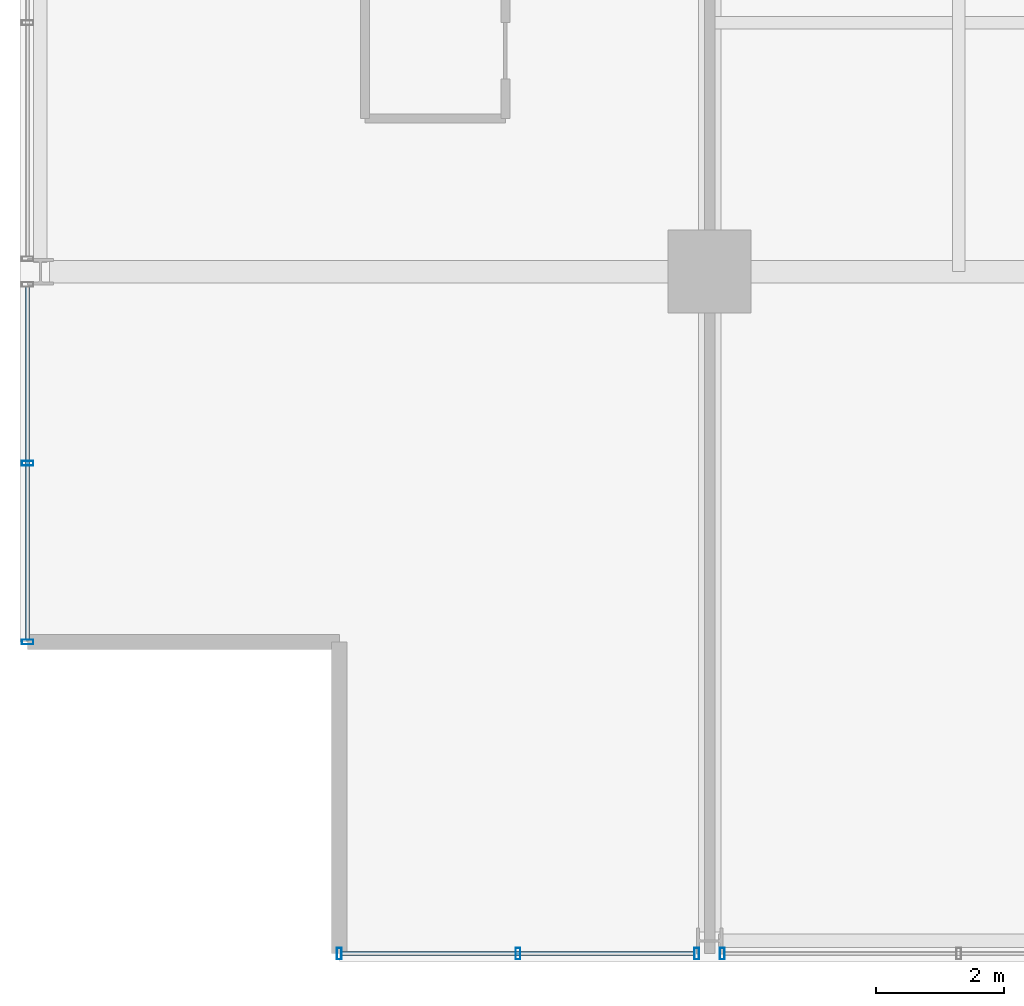
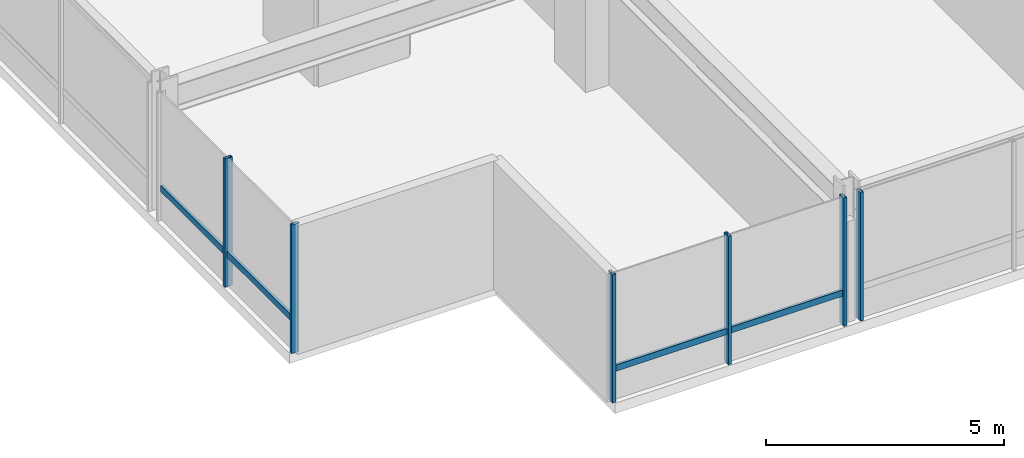
# One storey, part 2 of 33: 8 members, 3 elements without a shape of their own.
"""IFC4 building model written with IfcOpenShell, lengths in metres."""

from ifc_helpers import new_model, si_unit, direction, frame, origin, origin_2d, place, context, subcontext, project, spatial, hollow_rectangle, extrude, material, layer, layer_set, material_profile, profile_set, type_object, element, aggregate, save


model = new_model("IFC4")

# Units and contexts
model_context = context("Model", 3, precision=1e-05, world=origin(), true_north=direction((0.0, 1.0)))
body_context = subcontext(model_context, "Body", "Model", "MODEL_VIEW")
ifc_project = project(units=[si_unit("LENGTHUNIT", "METRE"), si_unit("AREAUNIT", "SQUARE_METRE"), si_unit("VOLUMEUNIT", "CUBIC_METRE"), si_unit("PLANEANGLEUNIT", "RADIAN"), si_unit("MASSUNIT", "GRAM", prefix="KILO")], contexts=[model_context])

# Site, building, storey
site_placement = place(None, origin())
site = spatial("IfcSite", under=ifc_project, at=site_placement, CompositionType="ELEMENT")
building_placement = place(site_placement, origin())
building = spatial("IfcBuilding", under=site, at=building_placement, Name="Drelvath Grand Hotel", CompositionType="ELEMENT")
storey_placement = place(building_placement, frame((0.0, 0.0, 171.699951171875)))
storey = spatial("IfcBuildingStorey", under=building, at=storey_placement, Name="L44", CompositionType="ELEMENT", Elevation=171.699951171875)

# Curtain wall, member
ifc_material = material(Name="Brushed Pale-Silver Anodised Aluminium Frame", Category="aluminium")
ifc_layer = layer(ifc_material, 0.199951171875)
ifc_layer_set = layer_set([ifc_layer], Name="Brushed Pale-Silver Anodised Aluminium Frame")
curtain_wall_type = type_object("IfcCurtainWallType", Name="Stick Curtain Wall CW-04 Brushed Silver Upper-Mid", PredefinedType="NOTDEFINED", material=ifc_layer_set)
curtain_wall_1_placement = place(storey_placement, origin())
curtain_wall_1 = element("IfcCurtainWall", 1, at=curtain_wall_1_placement, inside=storey, type_object=curtain_wall_type, Name="L44 CW-04 Curtain Wall CW04-L44-WS1", PredefinedType="NOTDEFINED")
ifc_material_profile_1 = material_profile(ifc_material, hollow_rectangle(XDim=0.06494140625, YDim=0.159912109375, WallThickness=0.00390625, at=origin_2d()), Name="HSS160X65X4")
ifc_profile_set_1 = profile_set([ifc_material_profile_1], Name="Brushed Pale-Silver Anodised Aluminium Frame")
member_type_1 = type_object("IfcMemberType", Name="Curtain Wall Horizontal Transom CW-04 HSS160X65X4", PredefinedType="USERDEFINED", material=ifc_profile_set_1)
member_1_placement = place(storey_placement, frame((-26.8798828125, 5.0400390625, 0.822509765625), z_axis=(0.0, 1.0, 0.0), x_axis=(-1.0, 0.0, 0.0)))
member_1 = element("IfcMember", 2, at=member_1_placement, type_object=member_type_1, Name="CW04-L44-WS1 Sill Transom", ObjectType="TRANSOM", PredefinedType="USERDEFINED", context=body_context, shape_type="SweptSolid", body=[
    extrude(hollow_rectangle(XDim=0.06494140625, YDim=0.159912109375, WallThickness=0.00390625, at=origin_2d()), origin(), (0.0, 0.0, 1.0), 5.519775390625),
])

curtain_wall_2_placement = place(storey_placement, origin())
curtain_wall_2 = element("IfcCurtainWall", 3, at=curtain_wall_2_placement, inside=storey, type_object=curtain_wall_type, Name="L44 CW-04 Curtain Wall CW04-L44-SW1", PredefinedType="NOTDEFINED")
member_2_placement = place(storey_placement, frame((-16.440185546875, 0.1201171875, 0.822509765625), z_axis=(-1.0, 0.0, 0.0), x_axis=(0.0, -1.0, 0.0)))
member_2 = element("IfcMember", 4, at=member_2_placement, type_object=member_type_1, Name="CW04-L44-SW1 Sill Transom", ObjectType="TRANSOM", PredefinedType="USERDEFINED", context=body_context, shape_type="SweptSolid", body=[
    extrude(hollow_rectangle(XDim=0.06494140625, YDim=0.159912109375, WallThickness=0.00390625, at=origin_2d()), origin(), (0.0, 0.0, 1.0), 5.519775390625),
])

# Member
ifc_material_profile_2 = material_profile(ifc_material, hollow_rectangle(XDim=0.074951171875, YDim=0.179931640625, WallThickness=0.0048828125, at=origin_2d()), Name="HSS180X75X5")
ifc_profile_set_2 = profile_set([ifc_material_profile_2], Name="Brushed Pale-Silver Anodised Aluminium Frame")
member_type_2 = type_object("IfcMemberType", Name="Curtain Wall Vertical Mullion CW-04 HSS180X75X5", PredefinedType="MULLION", material=ifc_profile_set_2)
member_3_placement = place(storey_placement, frame((-26.8798828125, 5.0, 0.0), z_axis=(0.0, 0.0, 1.0), x_axis=(0.0, 1.0, 0.0)))
member_3 = element("IfcMember", 5, at=member_3_placement, type_object=member_type_2, Name="CW04-L44-WS1 Mullion 1", PredefinedType="MULLION", context=body_context, shape_type="SweptSolid", body=[
    extrude(hollow_rectangle(XDim=0.074951171875, YDim=0.179931640625, WallThickness=0.0048828125, at=origin_2d()), origin(), (0.0, 0.0, 1.0), 3.2900390625),
])

member_4_placement = place(storey_placement, frame((-26.8798828125, 7.7998046875, 0.0), z_axis=(0.0, 0.0, 1.0), x_axis=(0.0, 1.0, 0.0)))
member_4 = element("IfcMember", 6, at=member_4_placement, type_object=member_type_2, Name="CW04-L44-WS1 Mullion 2", PredefinedType="MULLION", context=body_context, shape_type="SweptSolid", body=[
    extrude(hollow_rectangle(XDim=0.074951171875, YDim=0.179931640625, WallThickness=0.0048828125, at=origin_2d()), origin(), (0.0, 0.0, 1.0), 3.2900390625),
])

aggregate(curtain_wall_1, [member_3, member_4, member_1])

member_5_placement = place(storey_placement, frame((-16.400146484375, 0.1201171875, 0.0), z_axis=(0.0, 0.0, 1.0), x_axis=(1.0, 0.0, 0.0)))
member_5 = element("IfcMember", 7, at=member_5_placement, type_object=member_type_2, Name="CW04-L44-SW1 Mullion 1", PredefinedType="MULLION", context=body_context, shape_type="SweptSolid", body=[
    extrude(hollow_rectangle(XDim=0.074951171875, YDim=0.179931640625, WallThickness=0.0048828125, at=origin_2d()), origin(), (0.0, 0.0, 1.0), 3.2900390625),
])

member_6_placement = place(storey_placement, frame((-19.199951171875, 0.1201171875, 0.0), z_axis=(0.0, 0.0, 1.0), x_axis=(1.0, 0.0, 0.0)))
member_6 = element("IfcMember", 8, at=member_6_placement, type_object=member_type_2, Name="CW04-L44-SW1 Mullion 2", PredefinedType="MULLION", context=body_context, shape_type="SweptSolid", body=[
    extrude(hollow_rectangle(XDim=0.074951171875, YDim=0.179931640625, WallThickness=0.0048828125, at=origin_2d()), origin(), (0.0, 0.0, 1.0), 3.2900390625),
])

member_7_placement = place(storey_placement, frame((-22.0, 0.1201171875, 0.0), z_axis=(0.0, 0.0, 1.0), x_axis=(1.0, 0.0, 0.0)))
member_7 = element("IfcMember", 9, at=member_7_placement, type_object=member_type_2, Name="CW04-L44-SW1 Mullion 3", PredefinedType="MULLION", context=body_context, shape_type="SweptSolid", body=[
    extrude(hollow_rectangle(XDim=0.074951171875, YDim=0.179931640625, WallThickness=0.0048828125, at=origin_2d()), origin(), (0.0, 0.0, 1.0), 3.2900390625),
])

aggregate(curtain_wall_2, [member_5, member_6, member_7, member_2])

# Curtain wall, member
curtain_wall_3_placement = place(storey_placement, origin())
curtain_wall_3 = element("IfcCurtainWall", 10, at=curtain_wall_3_placement, inside=storey, type_object=curtain_wall_type, Name="L44 CW-04 Curtain Wall CW04-L44-SW2", PredefinedType="NOTDEFINED")
member_8_placement = place(storey_placement, frame((-16.0, 0.1201171875, 0.0), z_axis=(0.0, 0.0, 1.0), x_axis=(1.0, 0.0, 0.0)))
member_8 = element("IfcMember", 11, at=member_8_placement, type_object=member_type_2, Name="CW04-L44-SW2 Mullion 3", PredefinedType="MULLION", context=body_context, shape_type="SweptSolid", body=[
    extrude(hollow_rectangle(XDim=0.074951171875, YDim=0.179931640625, WallThickness=0.0048828125, at=origin_2d()), origin(), (0.0, 0.0, 1.0), 3.2900390625),
])
aggregate(curtain_wall_3, [member_8])

save(model, "model.ifc")
